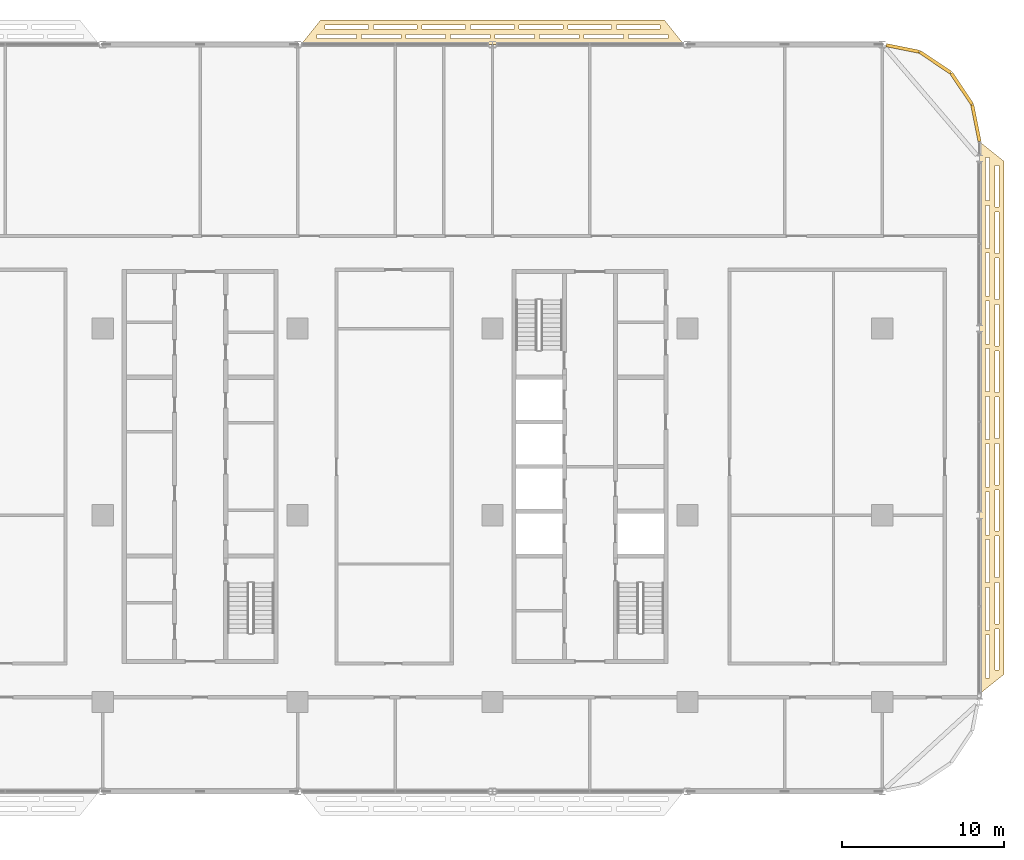
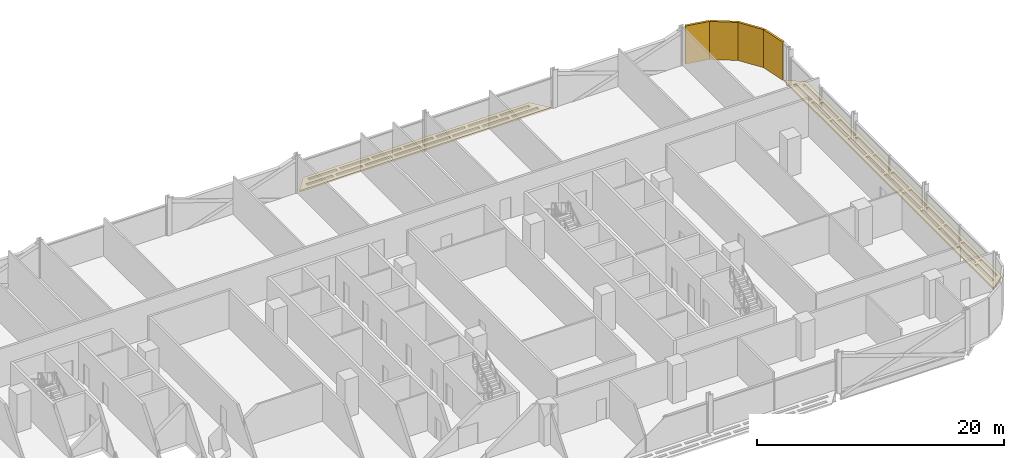
# One storey, part 28 of 28: 6 coverings.
"""IFC4 building model written with IfcOpenShell, lengths in metres."""

import ifcopenshell
import ifcopenshell.guid

model = None  # the IFC model being written
_history = None  # IfcOwnerHistory: only IFC2X3 demands one
_inside = {}  # id of a spatial element -> (the spatial element, [elements in it])
_under = {}  # id of a project, library or spatial element -> (it, [spatial elements below it])
_declared = {}  # id of a project -> (the project, [libraries it declares])
_typed = {}  # id of a type object -> (the type object, [elements of that type])
_made_of = {}  # id of a material, layer set ... -> (it, [elements and type objects made of it])


def new_model(schema):
    """Start an empty IFC model of exactly this schema.

    Asked for "IFC4X3", IfcOpenShell would pick the latest addendum, in which some entities
    have other attributes; the version numbers below select the first issue.
    IFC2X3 requires an IfcOwnerHistory on every rooted entity: one is made here for all.
    """
    global model, _history
    if schema == "IFC4X3":
        model = ifcopenshell.file(schema_version=(4, 3, 0, 0))
    else:
        model = ifcopenshell.file(schema=schema)
    _inside.clear()
    _under.clear()
    _declared.clear()
    _typed.clear()
    _made_of.clear()
    _history = None
    if model.schema == "IFC2X3":
        org = make("IfcOrganization", Name="unknown")
        user = make(
            "IfcPersonAndOrganization",
            ThePerson=make("IfcPerson", FamilyName="unknown"),
            TheOrganization=org,
        )
        app = make(
            "IfcApplication",
            ApplicationDeveloper=org,
            Version="unknown",
            ApplicationFullName="unknown",
            ApplicationIdentifier="unknown",
        )
        _history = make(
            "IfcOwnerHistory",
            OwningUser=user,
            OwningApplication=app,
            ChangeAction="ADDED",
            CreationDate=0,
        )
    return model


def make(cls, **values):
    """One entity of the class cls with the attributes given. An attribute that is None is left unset."""
    return model.create_entity(
        cls, **{name: value for name, value in values.items() if value is not None}
    )


def rooted(cls, **values):
    """An entity with a GlobalId (a new one), such as an element, a storey or a relation."""
    return make(cls, GlobalId=ifcopenshell.guid.new(), OwnerHistory=_history, **values)


def si_unit(unit_type, name, prefix=None):
    """IfcSIUnit, for example si_unit("LENGTHUNIT", "METRE", prefix="MILLI")."""
    return make("IfcSIUnit", UnitType=unit_type, Prefix=prefix, Name=name)


def assignment(units):
    """IfcUnitAssignment: the units of a project."""
    return None if units is None else make("IfcUnitAssignment", Units=units)


def point(xyz):
    """IfcCartesianPoint."""
    return None if xyz is None else make("IfcCartesianPoint", Coordinates=xyz)


def direction(xyz):
    """IfcDirection."""
    return None if xyz is None else make("IfcDirection", DirectionRatios=xyz)


def frame(location, z_axis=None, x_axis=None):
    """IfcAxis2Placement3D, a coordinate frame: its origin and axes. An axis left out is left unset."""
    return make(
        "IfcAxis2Placement3D",
        Location=point(location),
        Axis=direction(z_axis),
        RefDirection=direction(x_axis),
    )


def frame_2d(location, x_axis=None):
    """IfcAxis2Placement2D, a coordinate frame in the plane: its origin and x axis."""
    return make(
        "IfcAxis2Placement2D", Location=point(location), RefDirection=direction(x_axis)
    )


def origin():
    """The frame at (0, 0, 0) with its axes left unset."""
    return frame((0.0, 0.0, 0.0))


def origin_2d():
    """The frame at (0, 0) in the plane with its x axis left unset."""
    return frame_2d((0.0, 0.0))


def place(relative_to, where):
    """IfcLocalPlacement: puts the frame where relative to a parent placement (None: the world)."""
    return make(
        "IfcLocalPlacement", PlacementRelTo=relative_to, RelativePlacement=where
    )


def context(
    kind, dimensions, precision=None, world=None, true_north=None, identifier=None
):
    """IfcGeometricRepresentationContext, for example the 3D "Model" context."""
    return make(
        "IfcGeometricRepresentationContext",
        ContextIdentifier=identifier,
        ContextType=kind,
        CoordinateSpaceDimension=dimensions,
        Precision=precision,
        WorldCoordinateSystem=world,
        TrueNorth=true_north,
    )


def subcontext(parent, identifier, kind, view, scale=None):
    """IfcGeometricRepresentationSubContext, for example "Body" below "Model"."""
    return make(
        "IfcGeometricRepresentationSubContext",
        ContextIdentifier=identifier,
        ContextType=kind,
        ParentContext=parent,
        TargetScale=scale,
        TargetView=view,
    )


def project(units=None, contexts=None):
    """IfcProject with its units and contexts."""
    return rooted(
        "IfcProject",
        Name="project",
        RepresentationContexts=contexts,
        UnitsInContext=assignment(units),
    )


def spatial(cls, under=None, at=None, **own):
    """A site, building, storey or space (cls), placed at a placement, below another one or the project."""
    s = rooted(cls, ObjectPlacement=at, **own)
    if under is not None:
        _under.setdefault(under.id(), (under, []))[1].append(s)
    return s


def polyline(points):
    """IfcPolyline through the points."""
    return make("IfcPolyline", Points=[point(p) for p in points])


def profile(cls, at=None, kind="AREA", **sizes):
    """A parametric profile (cls). Its sizes go by their IFC names, for example OverallWidth=200.0."""
    return make(cls, ProfileType=kind, Position=at, **sizes)


def rectangle(**sizes):
    """IfcRectangleProfileDef."""
    return profile("IfcRectangleProfileDef", **sizes)


def outline(outer, holes=None, kind="AREA"):
    """IfcArbitraryClosedProfileDef: a profile drawn as a closed curve; with holes, ...WithVoids."""
    if holes is None:
        return make("IfcArbitraryClosedProfileDef", ProfileType=kind, OuterCurve=outer)
    return make(
        "IfcArbitraryProfileDefWithVoids",
        ProfileType=kind,
        OuterCurve=outer,
        InnerCurves=holes,
    )


def extrude(swept, where, along, depth):
    """IfcExtrudedAreaSolid: the profile swept, set in the frame where, extruded along a direction by depth."""
    return make(
        "IfcExtrudedAreaSolid",
        SweptArea=swept,
        Position=where,
        ExtrudedDirection=direction(along),
        Depth=depth,
    )


def shape(context_of_items, identifier, shape_type, items):
    """IfcShapeRepresentation: the items that make up one representation, for example the "Body"."""
    return make(
        "IfcShapeRepresentation",
        ContextOfItems=context_of_items,
        RepresentationIdentifier=identifier,
        RepresentationType=shape_type,
        Items=items,
    )


def material(Name=None, Category=None):
    """IfcMaterial."""
    return make("IfcMaterial", Name=Name, Category=Category)


def layer(
    of_material, thickness, ventilated=None, Name=None, Category=None, Priority=None
):
    """IfcMaterialLayer: one layer of a wall or slab, of a material (None: an air gap)."""
    return make(
        "IfcMaterialLayer",
        Material=of_material,
        LayerThickness=thickness,
        IsVentilated=ventilated,
        Name=Name,
        Category=Category,
        Priority=Priority,
    )


def layer_set(layers, Name=None):
    """IfcMaterialLayerSet."""
    return make("IfcMaterialLayerSet", MaterialLayers=layers, LayerSetName=Name)


def made_of(thing, what):
    """Note that an element or type object is made of a material, layer set ...; save() writes the relation."""
    if what is not None:
        _made_of.setdefault(what.id(), (what, []))[1].append(thing)
    return thing


def type_object(cls, material=None, **own):
    """A type object (cls), such as IfcWallType, which elements share."""
    return made_of(rooted(cls, **own), material)


def element(
    cls,
    number,
    at=None,
    inside=None,
    cuts=None,
    type_object=None,
    material=None,
    context=None,
    identifier="Body",
    shape_type=None,
    held_by="IfcProductDefinitionShape",
    body=None,
    shapes=None,
    **own,
):
    """One element of the class cls, such as IfcWall. Its Tag is "e" and its number.

    at: its placement. inside: the storey or other place that contains it. cuts: it is an
    opening in that element (IfcRelVoidsElement). A single representation is given by context,
    identifier, shape_type and body (its items); several are given by shapes. held_by: the class
    of the entity that holds the representations. save() writes the other relations.
    """
    e = rooted(cls, Tag="e%d" % number, ObjectPlacement=at, **own)
    if body is not None:
        shapes = [shape(context, identifier, shape_type, body)]
    if shapes is not None:
        e.Representation = make(held_by, Representations=shapes)
    if inside is not None:
        _inside.setdefault(inside.id(), (inside, []))[1].append(e)
    if cuts is not None:
        rooted(
            "IfcRelVoidsElement", RelatingBuildingElement=cuts, RelatedOpeningElement=e
        )
    if type_object is not None:
        _typed.setdefault(type_object.id(), (type_object, []))[1].append(e)
    return made_of(e, material)


def aggregate(whole, parts):
    """IfcRelAggregates: a whole, such as a stair, and the parts it consists of."""
    return rooted("IfcRelAggregates", RelatingObject=whole, RelatedObjects=parts)


def save(model, path):
    """Write the relations noted so far, then the file.

    IfcRelAggregates (storeys below a building ...), IfcRelContainedInSpatialStructure (elements
    in a storey), IfcRelDefinesByType, IfcRelAssociatesMaterial and IfcRelDeclares: one each for
    every whole, place, type object, material and project.
    """
    for whole, parts in _under.values():
        aggregate(whole, parts)
    for where, things in _inside.values():
        rooted(
            "IfcRelContainedInSpatialStructure",
            RelatedElements=things,
            RelatingStructure=where,
        )
    for kind, things in _typed.values():
        rooted("IfcRelDefinesByType", RelatedObjects=things, RelatingType=kind)
    for what, things in _made_of.values():
        rooted("IfcRelAssociatesMaterial", RelatedObjects=things, RelatingMaterial=what)
    for by, libraries in _declared.values():
        rooted("IfcRelDeclares", RelatingContext=by, RelatedDefinitions=libraries)
    model.write(path)


model = new_model("IFC4")

# Units and contexts
model_context = context("Model", 3, precision=1e-05, world=origin(), true_north=direction((0.0, 1.0)))
body_context = subcontext(model_context, "Body", "Model", "MODEL_VIEW")
ifc_project = project(units=[si_unit("LENGTHUNIT", "METRE"), si_unit("AREAUNIT", "SQUARE_METRE"), si_unit("VOLUMEUNIT", "CUBIC_METRE"), si_unit("PLANEANGLEUNIT", "RADIAN"), si_unit("MASSUNIT", "GRAM", prefix="KILO")], contexts=[model_context])

# Site, building, storey
site_placement = place(None, origin())
site = spatial("IfcSite", under=ifc_project, at=site_placement, CompositionType="ELEMENT")
building_placement = place(site_placement, origin())
building = spatial("IfcBuilding", under=site, at=building_placement, Name="Mahtab Terrace Research Tower", CompositionType="ELEMENT")
storey_placement = place(building_placement, frame((0.0, 0.0, 130.199951171875)))
storey = spatial("IfcBuildingStorey", under=building, at=storey_placement, Name="L30", CompositionType="ELEMENT", Elevation=130.199951171875)

# Coverings
ifc_material_1 = material(Name="Black aluminium cladding panel", Category="aluminium")
ifc_layer_1 = layer(ifc_material_1, 0.199951171875)
ifc_layer_set_1 = layer_set([ifc_layer_1], Name="Black metal corner cladding 200")
covering_type_1 = type_object("IfcCoveringType", Name="Black metal corner cladding 200", PredefinedType="CLADDING", material=ifc_layer_set_1)
for number, where, z_axis, x_axis, name in (
    (1, (46.89306640625, 26.26953125, 0.0), (0.0, 0.0, 1.0), (-0.555291490808, 0.831655794326, 0.0), "Corner cladding L30 0"),
    (2, (45.26953125, 27.89306640625, 0.0), (0.0, 0.0, 1.0), (-0.831655794326, 0.555291490808, 0.0), "Corner cladding L30 1"),
):
    element("IfcCovering", number, at=place(storey_placement, frame(where, z_axis=z_axis, x_axis=x_axis)), inside=storey, type_object=covering_type_1, Name=name, PredefinedType="CLADDING", context=body_context, shape_type="SweptSolid", body=[
        extrude(rectangle(XDim=2.30126953125, YDim=0.199951171875, at=origin_2d()), origin(), (0.0, 0.0, 1.0), 3.760009765625),
    ])
covering_1_placement = place(storey_placement, frame((43.263916015625, 28.74853515625, 0.0), z_axis=(0.0, 0.0, 1.0), x_axis=(-0.980760981187, 0.195212442692, 0.0)))
element("IfcCovering", 3, at=covering_1_placement, inside=storey, type_object=covering_type_1, Name="Corner cladding L30 2", PredefinedType="CLADDING", context=body_context, shape_type="SweptSolid", body=[
    extrude(rectangle(XDim=2.064697265625, YDim=0.199951171875, at=origin_2d()), origin(), (0.0, 0.0, 1.0), 3.760009765625),
])
covering_2_placement = place(storey_placement, frame((47.771484375, 24.14794921875, 0.0), z_axis=(0.0, 0.0, 1.0), x_axis=(-0.195212442692, 0.980760981187, 0.0)))
element("IfcCovering", 4, at=covering_2_placement, inside=storey, type_object=covering_type_1, Name="Corner cladding L30 40", PredefinedType="CLADDING", context=body_context, shape_type="SweptSolid", body=[
    extrude(rectangle(XDim=2.30126953125, YDim=0.199951171875, at=origin_2d()), origin(), (0.0, 0.0, 1.0), 3.760009765625),
])
ifc_material_2 = material(Name="Black anodised aluminium", Category="aluminium")
ifc_layer_2 = layer(ifc_material_2, 0.14990234375)
ifc_layer_set_2 = layer_set([ifc_layer_2], Name="Horizontal sunshade band")
covering_type_2 = type_object("IfcCoveringType", Name="Horizontal sunshade band", PredefinedType="CLADDING", material=ifc_layer_set_2)
covering_3_placement = place(storey_placement, frame((0.0, 0.0, -0.14990234375)))
element("IfcCovering", 5, at=covering_3_placement, inside=storey, type_object=covering_type_2, Name="Sunshade band L30 4", PredefinedType="CLADDING", context=body_context, shape_type="SweptSolid", body=[
    extrude(outline(polyline([(29.781982421875, 29.0), (6.218017578125, 29.0), (7.41796875, 30.5), (28.58203125, 30.5), (29.781982421875, 29.0)]), holes=[polyline([(28.802001953125, 29.35009765625), (26.364013671875, 29.35009765625), (26.364013671875, 29.60009765625), (28.802001953125, 29.60009765625), (28.802001953125, 29.35009765625)]), polyline([(26.06396484375, 29.35009765625), (23.6259765625, 29.35009765625), (23.6259765625, 29.60009765625), (26.06396484375, 29.60009765625), (26.06396484375, 29.35009765625)]), polyline([(23.325927734375, 29.35009765625), (20.887939453125, 29.35009765625), (20.887939453125, 29.60009765625), (23.325927734375, 29.60009765625), (23.325927734375, 29.35009765625)]), polyline([(20.587890625, 29.35009765625), (18.14990234375, 29.35009765625), (18.14990234375, 29.60009765625), (20.587890625, 29.60009765625), (20.587890625, 29.35009765625)]), polyline([(17.85009765625, 29.35009765625), (15.412109375, 29.35009765625), (15.412109375, 29.60009765625), (17.85009765625, 29.60009765625), (17.85009765625, 29.35009765625)]), polyline([(15.112060546875, 29.35009765625), (12.674072265625, 29.35009765625), (12.674072265625, 29.60009765625), (15.112060546875, 29.60009765625), (15.112060546875, 29.35009765625)]), polyline([(12.3740234375, 29.35009765625), (9.93603515625, 29.35009765625), (9.93603515625, 29.60009765625), (12.3740234375, 29.60009765625), (12.3740234375, 29.35009765625)]), polyline([(9.635986328125, 29.35009765625), (7.197998046875, 29.35009765625), (7.197998046875, 29.60009765625), (9.635986328125, 29.60009765625), (9.635986328125, 29.35009765625)]), polyline([(28.322021484375, 29.949951171875), (25.6298828125, 29.949951171875), (25.6298828125, 30.199951171875), (28.322021484375, 30.199951171875), (28.322021484375, 29.949951171875)]), polyline([(25.330078125, 29.949951171875), (22.637939453125, 29.949951171875), (22.637939453125, 30.199951171875), (25.330078125, 30.199951171875), (25.330078125, 29.949951171875)]), polyline([(22.337890625, 29.949951171875), (19.64599609375, 29.949951171875), (19.64599609375, 30.199951171875), (22.337890625, 30.199951171875), (22.337890625, 29.949951171875)]), polyline([(19.345947265625, 29.949951171875), (16.654052734375, 29.949951171875), (16.654052734375, 30.199951171875), (19.345947265625, 30.199951171875), (19.345947265625, 29.949951171875)]), polyline([(16.35400390625, 29.949951171875), (13.662109375, 29.949951171875), (13.662109375, 30.199951171875), (16.35400390625, 30.199951171875), (16.35400390625, 29.949951171875)]), polyline([(13.362060546875, 29.949951171875), (10.669921875, 29.949951171875), (10.669921875, 30.199951171875), (13.362060546875, 30.199951171875), (13.362060546875, 29.949951171875)]), polyline([(10.3701171875, 29.949951171875), (7.677978515625, 29.949951171875), (7.677978515625, 30.199951171875), (10.3701171875, 30.199951171875), (10.3701171875, 29.949951171875)])]), origin(), (0.0, 0.0, 1.0), 0.14990234375),
])
covering_4_placement = place(storey_placement, frame((0.0, 0.0, -0.14990234375)))
element("IfcCovering", 6, at=covering_4_placement, inside=storey, type_object=covering_type_2, Name="Sunshade band L30 36", PredefinedType="CLADDING", context=body_context, shape_type="SweptSolid", body=[
    extrude(outline(polyline([(48.0, -11.0), (48.0, 23.0), (49.5, 21.800048828125), (49.5, -9.800048828125), (48.0, -11.0)]), holes=[polyline([(48.35009765625, -10.02001953125), (48.35009765625, -7.3798828125), (48.60009765625, -7.3798828125), (48.60009765625, -10.02001953125), (48.35009765625, -10.02001953125)]), polyline([(48.35009765625, -7.080078125), (48.35009765625, -4.43994140625), (48.60009765625, -4.43994140625), (48.60009765625, -7.080078125), (48.35009765625, -7.080078125)]), polyline([(48.35009765625, -4.139892578125), (48.35009765625, -1.5), (48.60009765625, -1.5), (48.60009765625, -4.139892578125), (48.35009765625, -4.139892578125)]), polyline([(48.35009765625, -1.199951171875), (48.35009765625, 1.43994140625), (48.60009765625, 1.43994140625), (48.60009765625, -1.199951171875), (48.35009765625, -1.199951171875)]), polyline([(48.35009765625, 1.739990234375), (48.35009765625, 4.3798828125), (48.60009765625, 4.3798828125), (48.60009765625, 1.739990234375), (48.35009765625, 1.739990234375)]), polyline([(48.35009765625, 4.679931640625), (48.35009765625, 7.320068359375), (48.60009765625, 7.320068359375), (48.60009765625, 4.679931640625), (48.35009765625, 4.679931640625)]), polyline([(48.35009765625, 7.6201171875), (48.35009765625, 10.260009765625), (48.60009765625, 10.260009765625), (48.60009765625, 7.6201171875), (48.35009765625, 7.6201171875)]), polyline([(48.35009765625, 10.56005859375), (48.35009765625, 13.199951171875), (48.60009765625, 13.199951171875), (48.60009765625, 10.56005859375), (48.35009765625, 10.56005859375)]), polyline([(48.35009765625, 13.5), (48.35009765625, 16.139892578125), (48.60009765625, 16.139892578125), (48.60009765625, 13.5), (48.35009765625, 13.5)]), polyline([(48.35009765625, 16.43994140625), (48.35009765625, 19.080078125), (48.60009765625, 19.080078125), (48.60009765625, 16.43994140625), (48.35009765625, 16.43994140625)]), polyline([(48.35009765625, 19.3798828125), (48.35009765625, 22.02001953125), (48.60009765625, 22.02001953125), (48.60009765625, 19.3798828125), (48.35009765625, 19.3798828125)]), polyline([(48.949951171875, -9.5400390625), (48.949951171875, -6.987060546875), (49.199951171875, -6.987060546875), (49.199951171875, -9.5400390625), (48.949951171875, -9.5400390625)]), polyline([(48.949951171875, -6.68701171875), (48.949951171875, -4.135009765625), (49.199951171875, -4.135009765625), (49.199951171875, -6.68701171875), (48.949951171875, -6.68701171875)]), polyline([(48.949951171875, -3.8349609375), (48.949951171875, -1.281982421875), (49.199951171875, -1.281982421875), (49.199951171875, -3.8349609375), (48.949951171875, -3.8349609375)]), polyline([(48.949951171875, -0.98193359375), (48.949951171875, 1.571044921875), (49.199951171875, 1.571044921875), (49.199951171875, -0.98193359375), (48.949951171875, -0.98193359375)]), polyline([(48.949951171875, 1.87109375), (48.949951171875, 4.424072265625), (49.199951171875, 4.424072265625), (49.199951171875, 1.87109375), (48.949951171875, 1.87109375)]), polyline([(48.949951171875, 4.72412109375), (48.949951171875, 7.27587890625), (49.199951171875, 7.27587890625), (49.199951171875, 4.72412109375), (48.949951171875, 4.72412109375)]), polyline([(48.949951171875, 7.575927734375), (48.949951171875, 10.12890625), (49.199951171875, 10.12890625), (49.199951171875, 7.575927734375), (48.949951171875, 7.575927734375)]), polyline([(48.949951171875, 10.428955078125), (48.949951171875, 12.98193359375), (49.199951171875, 12.98193359375), (49.199951171875, 10.428955078125), (48.949951171875, 10.428955078125)]), polyline([(48.949951171875, 13.281982421875), (48.949951171875, 15.8349609375), (49.199951171875, 15.8349609375), (49.199951171875, 13.281982421875), (48.949951171875, 13.281982421875)]), polyline([(48.949951171875, 16.135009765625), (48.949951171875, 18.68701171875), (49.199951171875, 18.68701171875), (49.199951171875, 16.135009765625), (48.949951171875, 16.135009765625)]), polyline([(48.949951171875, 18.987060546875), (48.949951171875, 21.5400390625), (49.199951171875, 21.5400390625), (49.199951171875, 18.987060546875), (48.949951171875, 18.987060546875)])]), origin(), (0.0, 0.0, 1.0), 0.14990234375),
])

save(model, "model.ifc")
